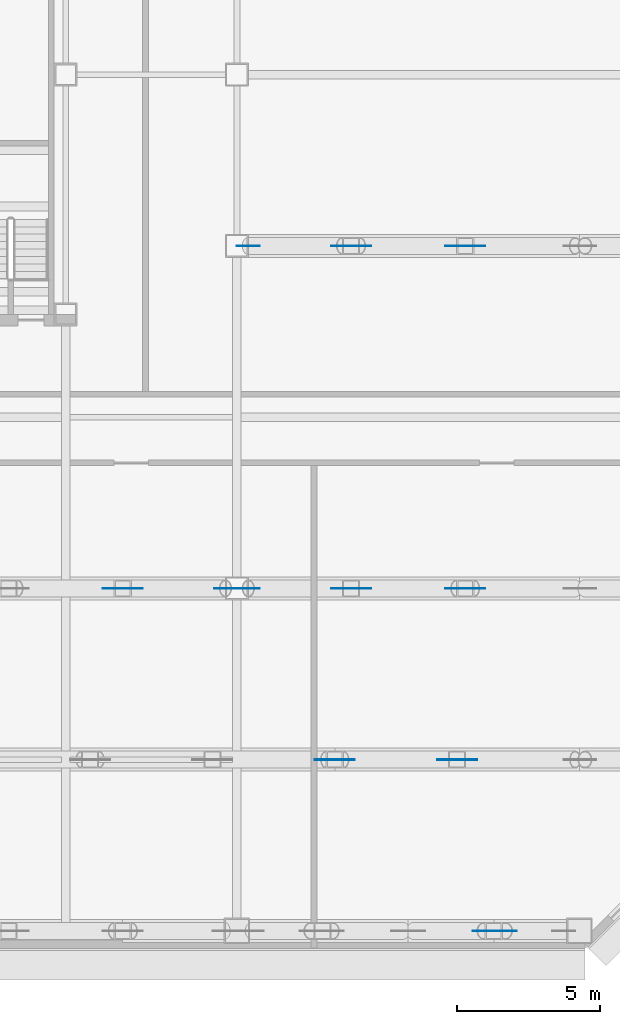
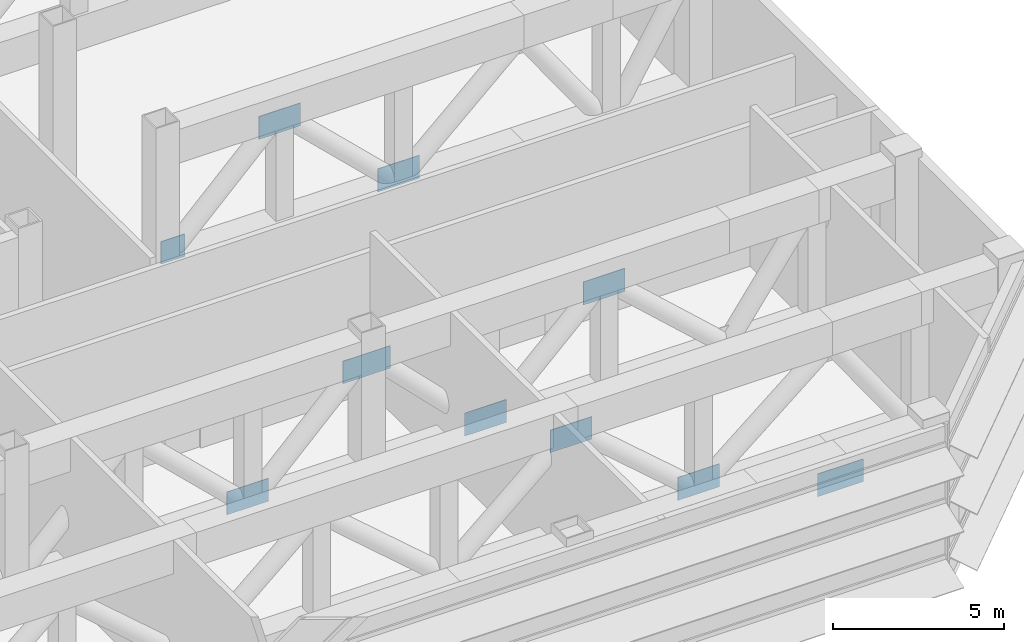
# One storey, part 12 of 17: 10 discrete accessories.
"""IFC4 building model written with IfcOpenShell, lengths in metres."""

from ifc_helpers import new_model, si_unit, direction, frame, origin, origin_2d, place, context, subcontext, project, spatial, rectangle, extrude, material, layer, layer_set, type_object, element, save


model = new_model("IFC4")

# Units and contexts
model_context = context("Model", 3, precision=1e-05, world=origin(), true_north=direction((0.0, 1.0)))
body_context = subcontext(model_context, "Body", "Model", "MODEL_VIEW")
ifc_project = project(units=[si_unit("LENGTHUNIT", "METRE"), si_unit("AREAUNIT", "SQUARE_METRE"), si_unit("VOLUMEUNIT", "CUBIC_METRE"), si_unit("PLANEANGLEUNIT", "RADIAN"), si_unit("MASSUNIT", "GRAM", prefix="KILO")], contexts=[model_context])

# Site, building, storey
site_placement = place(None, origin())
site = spatial("IfcSite", under=ifc_project, at=site_placement, CompositionType="ELEMENT")
building_placement = place(site_placement, origin())
building = spatial("IfcBuilding", under=site, at=building_placement, Name="Sorahane Residences", CompositionType="ELEMENT")
storey_placement = place(building_placement, frame((0.0, 0.0, 90.199951171875)))
storey = spatial("IfcBuildingStorey", under=building, at=storey_placement, Name="L19", CompositionType="ELEMENT", Elevation=90.199951171875)

# Discrete accessories
ifc_material = material(Name="Steel Q420GJ", Category="steel")
ifc_layer = layer(ifc_material, 0.02490234375)
ifc_layer_set = layer_set([ifc_layer], Name="Node plate Steel Q420GJ 25")
discrete_accessory_type = type_object("IfcDiscreteAccessoryType", Name="Node plate Steel Q420GJ 25", PredefinedType="BRACKET", material=ifc_layer_set)
discrete_accessory_1_placement = place(storey_placement, frame((57.027587890625, 0.0, 4.1845703125), z_axis=(0.0, 0.0, 1.0), x_axis=(1.0, 0.0, 0.0)))
element("IfcDiscreteAccessory", 1, at=discrete_accessory_1_placement, inside=storey, type_object=discrete_accessory_type, Name="Node plate L19 tr", PredefinedType="BRACKET", context=body_context, shape_type="SweptSolid", body=[
    extrude(rectangle(XDim=1.540283203125, YDim=0.02490234375, at=origin_2d()), origin(), (0.0, 0.0, 1.0), 0.80712890625),
])
discrete_accessory_2_placement = place(storey_placement, frame((55.71435546875, 6.0, 0.849609375), z_axis=(0.0, 0.0, 1.0), x_axis=(1.0, 0.0, 0.0)))
element("IfcDiscreteAccessory", 2, at=discrete_accessory_2_placement, inside=storey, type_object=discrete_accessory_type, Name="Node plate L19 tr", PredefinedType="BRACKET", context=body_context, shape_type="SweptSolid", body=[
    extrude(rectangle(XDim=1.39990234375, YDim=0.02490234375, at=origin_2d()), origin(), (0.0, 0.0, 1.0), 0.816162109375),
])
discrete_accessory_3_placement = place(storey_placement, frame((51.4287109375, 6.0, 4.05029296875), z_axis=(0.0, 0.0, 1.0), x_axis=(1.0, 0.0, 0.0)))
element("IfcDiscreteAccessory", 3, at=discrete_accessory_3_placement, inside=storey, type_object=discrete_accessory_type, Name="Node plate L19 tr", PredefinedType="BRACKET", context=body_context, shape_type="SweptSolid", body=[
    extrude(rectangle(XDim=1.39990234375, YDim=0.02490234375, at=origin_2d()), origin(), (0.0, 0.0, 1.0), 0.800048828125),
])
for number, where, z_axis, x_axis, name in (
    (4, (44.0, 12.0, 0.7998046875), (0.0, 0.0, 1.0), (1.0, 0.0, 0.0), "Node plate L19 tr"),
    (5, (52.0, 12.0, 0.7998046875), (0.0, 0.0, 1.0), (1.0, 0.0, 0.0), "Node plate L19 tr"),
):
    element("IfcDiscreteAccessory", number, at=place(storey_placement, frame(where, z_axis=z_axis, x_axis=x_axis)), inside=storey, type_object=discrete_accessory_type, Name=name, PredefinedType="BRACKET", context=body_context, shape_type="SweptSolid", body=[
        extrude(rectangle(XDim=1.39990234375, YDim=0.02490234375, at=origin_2d()), origin(), (0.0, 0.0, 1.0), 0.814208984375),
    ])
discrete_accessory_4_placement = place(storey_placement, frame((48.0, 12.0, 4.10009765625), z_axis=(0.0, 0.0, 1.0), x_axis=(1.0, 0.0, 0.0)))
element("IfcDiscreteAccessory", 6, at=discrete_accessory_4_placement, inside=storey, type_object=discrete_accessory_type, Name="Node plate L19 tr", PredefinedType="BRACKET", context=body_context, shape_type="SweptSolid", body=[
    extrude(rectangle(XDim=1.60009765625, YDim=0.02490234375, at=origin_2d()), origin(), (0.0, 0.0, 1.0), 0.800048828125),
])
discrete_accessory_5_placement = place(storey_placement, frame((56.0, 12.0, 4.06640625), z_axis=(0.0, 0.0, 1.0), x_axis=(1.0, 0.0, 0.0)))
element("IfcDiscreteAccessory", 7, at=discrete_accessory_5_placement, inside=storey, type_object=discrete_accessory_type, Name="Node plate L19 tr", PredefinedType="BRACKET", context=body_context, shape_type="SweptSolid", body=[
    extrude(rectangle(XDim=1.39990234375, YDim=0.02490234375, at=origin_2d()), origin(), (0.0, 0.0, 1.0), 0.819580078125),
])
discrete_accessory_6_placement = place(storey_placement, frame((48.39990234375, 24.0, 0.7998046875), z_axis=(0.0, 0.0, 1.0), x_axis=(1.0, 0.0, 0.0)))
element("IfcDiscreteAccessory", 8, at=discrete_accessory_6_placement, inside=storey, type_object=discrete_accessory_type, Name="Node plate L19 tr", PredefinedType="BRACKET", context=body_context, shape_type="SweptSolid", body=[
    extrude(rectangle(XDim=0.800048828125, YDim=0.02490234375, at=origin_2d()), origin(), (0.0, 0.0, 1.0), 0.800048828125),
])
discrete_accessory_7_placement = place(storey_placement, frame((56.0, 24.0, 0.814453125), z_axis=(0.0, 0.0, 1.0), x_axis=(1.0, 0.0, 0.0)))
element("IfcDiscreteAccessory", 9, at=discrete_accessory_7_placement, inside=storey, type_object=discrete_accessory_type, Name="Node plate L19 tr", PredefinedType="BRACKET", context=body_context, shape_type="SweptSolid", body=[
    extrude(rectangle(XDim=1.39990234375, YDim=0.02490234375, at=origin_2d()), origin(), (0.0, 0.0, 1.0), 0.819580078125),
])
discrete_accessory_8_placement = place(storey_placement, frame((52.0, 24.0, 4.0859375), z_axis=(0.0, 0.0, 1.0), x_axis=(1.0, 0.0, 0.0)))
element("IfcDiscreteAccessory", 10, at=discrete_accessory_8_placement, inside=storey, type_object=discrete_accessory_type, Name="Node plate L19 tr", PredefinedType="BRACKET", context=body_context, shape_type="SweptSolid", body=[
    extrude(rectangle(XDim=1.39990234375, YDim=0.02490234375, at=origin_2d()), origin(), (0.0, 0.0, 1.0), 0.814208984375),
])

save(model, "model.ifc")
